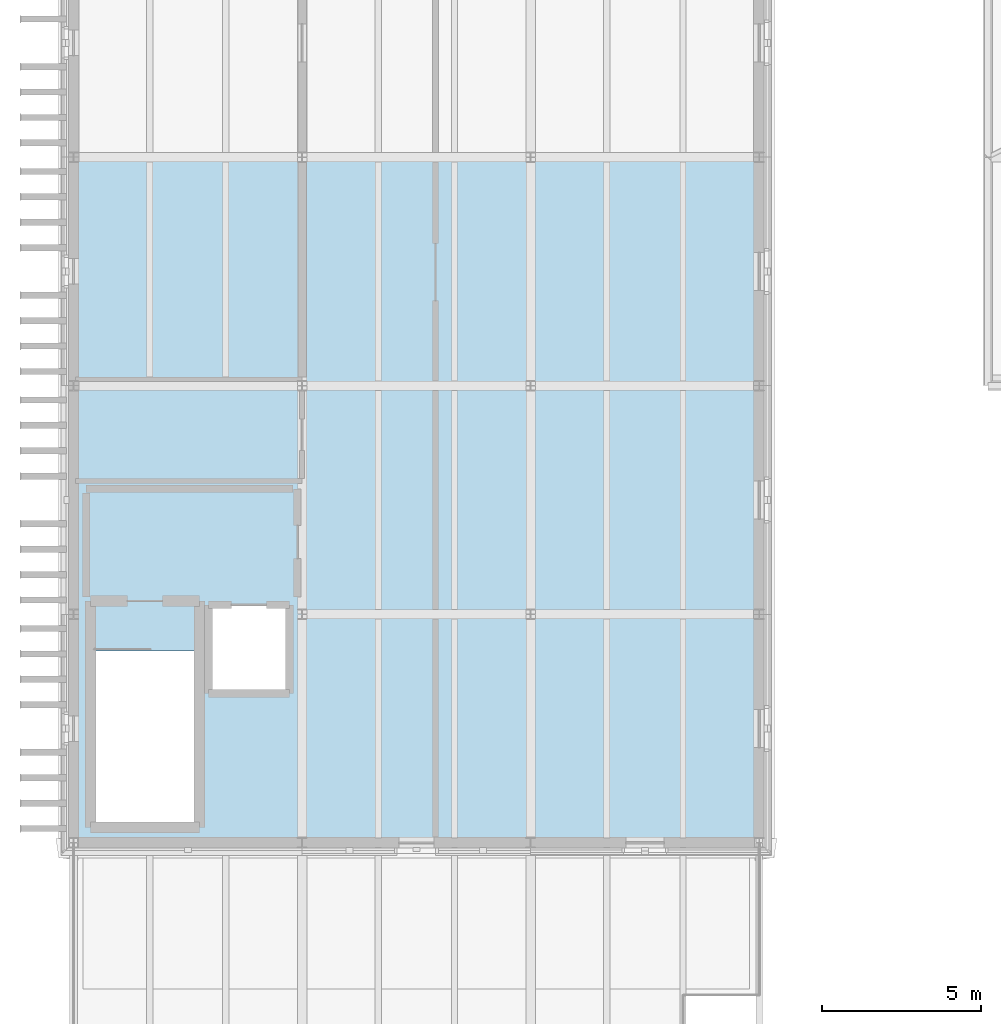
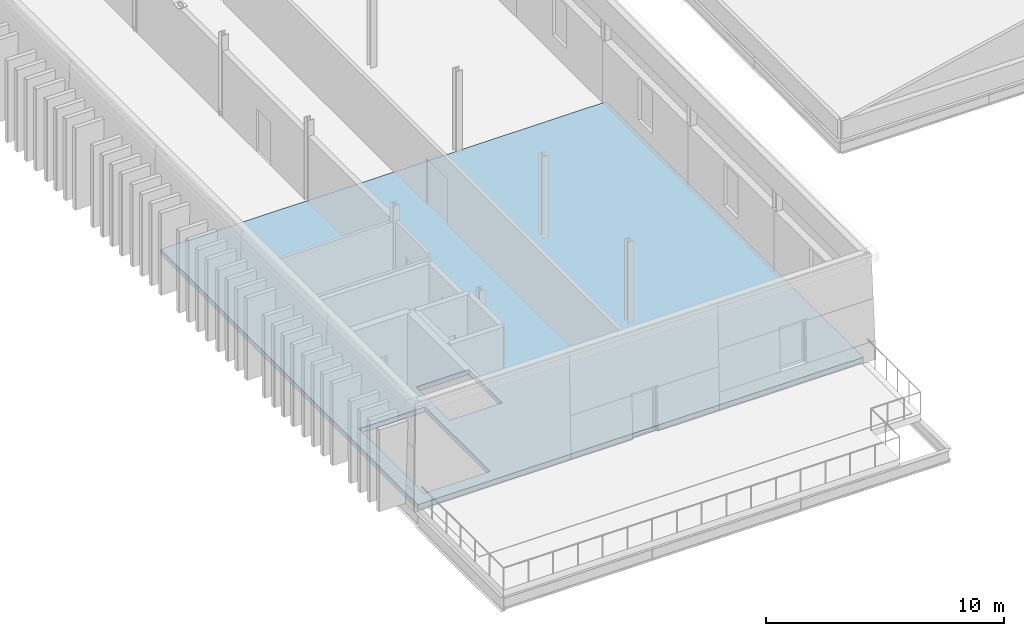
# One storey, part 13 of 44: 1 slab.
"""IFC4 building model written with IfcOpenShell, lengths in metres."""

from ifc_helpers import new_model, si_unit, direction, frame, origin, place, context, subcontext, project, spatial, polyline, outline, extrude, material, layer, layer_set, type_object, element, save


model = new_model("IFC4")

# Units and contexts
model_context = context("Model", 3, precision=1e-05, world=origin(), true_north=direction((0.0, 1.0)))
body_context = subcontext(model_context, "Body", "Model", "MODEL_VIEW")
ifc_project = project(units=[si_unit("LENGTHUNIT", "METRE"), si_unit("AREAUNIT", "SQUARE_METRE"), si_unit("VOLUMEUNIT", "CUBIC_METRE"), si_unit("PLANEANGLEUNIT", "RADIAN"), si_unit("MASSUNIT", "GRAM", prefix="KILO")], contexts=[model_context])

# Site, building, storey
site_placement = place(None, origin())
site = spatial("IfcSite", under=ifc_project, at=site_placement, CompositionType="ELEMENT")
building_placement = place(site_placement, origin())
building = spatial("IfcBuilding", under=site, at=building_placement, Name="Narikvali Park Central Library", CompositionType="ELEMENT")
storey_placement = place(building_placement, frame((0.0, 0.0, 22.800048828125)))
storey = spatial("IfcBuildingStorey", under=building, at=storey_placement, Name="L05", CompositionType="ELEMENT", Elevation=22.800048828125)

# Slab
ifc_material = material(Name="Concrete C35/45", Category="concrete")
ifc_layer = layer(ifc_material, 0.260009765625, Name="Concrete C35/45")
ifc_layer_set = layer_set([ifc_layer], Name="Concrete C35/45")
slab_type = type_object("IfcSlabType", Name="Upper Composite Floor Slab 260", PredefinedType="FLOOR", material=ifc_layer_set)
slab_placement = place(storey_placement, frame((0.0, 0.0, -0.260009765625)))
element("IfcSlab", 1, at=slab_placement, inside=storey, type_object=slab_type, Name="V5 L05 Structural Slab Panel 1", PredefinedType="FLOOR", context=body_context, shape_type="SweptSolid", body=[
    extrude(outline(polyline([(0.0, 43.199951171875), (21.60009765625, 43.199951171875), (21.60009765625, 64.800048828125), (0.0, 64.800048828125), (0.0, 43.199951171875)]), holes=[polyline([(0.64990234375, 43.800048828125), (3.85009765625, 43.800048828125), (3.85009765625, 49.25), (0.64990234375, 49.25), (0.64990234375, 43.800048828125)]), polyline([(4.25, 47.89990234375), (6.800048828125, 47.89990234375), (6.800048828125, 50.699951171875), (4.25, 50.699951171875), (4.25, 47.89990234375)])]), origin(), (0.0, 0.0, 1.0), 0.260009765625),
])

save(model, "model.ifc")
